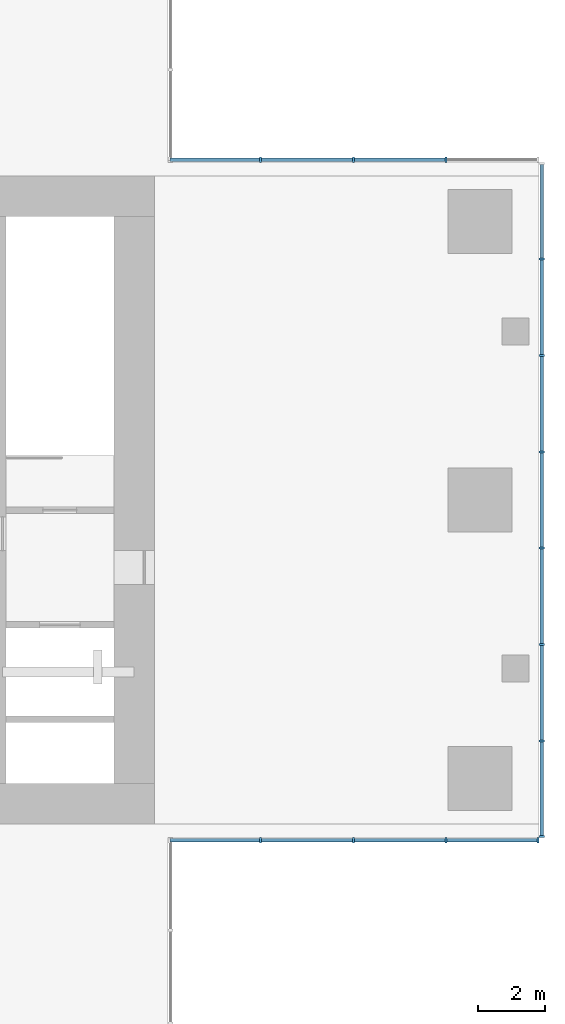
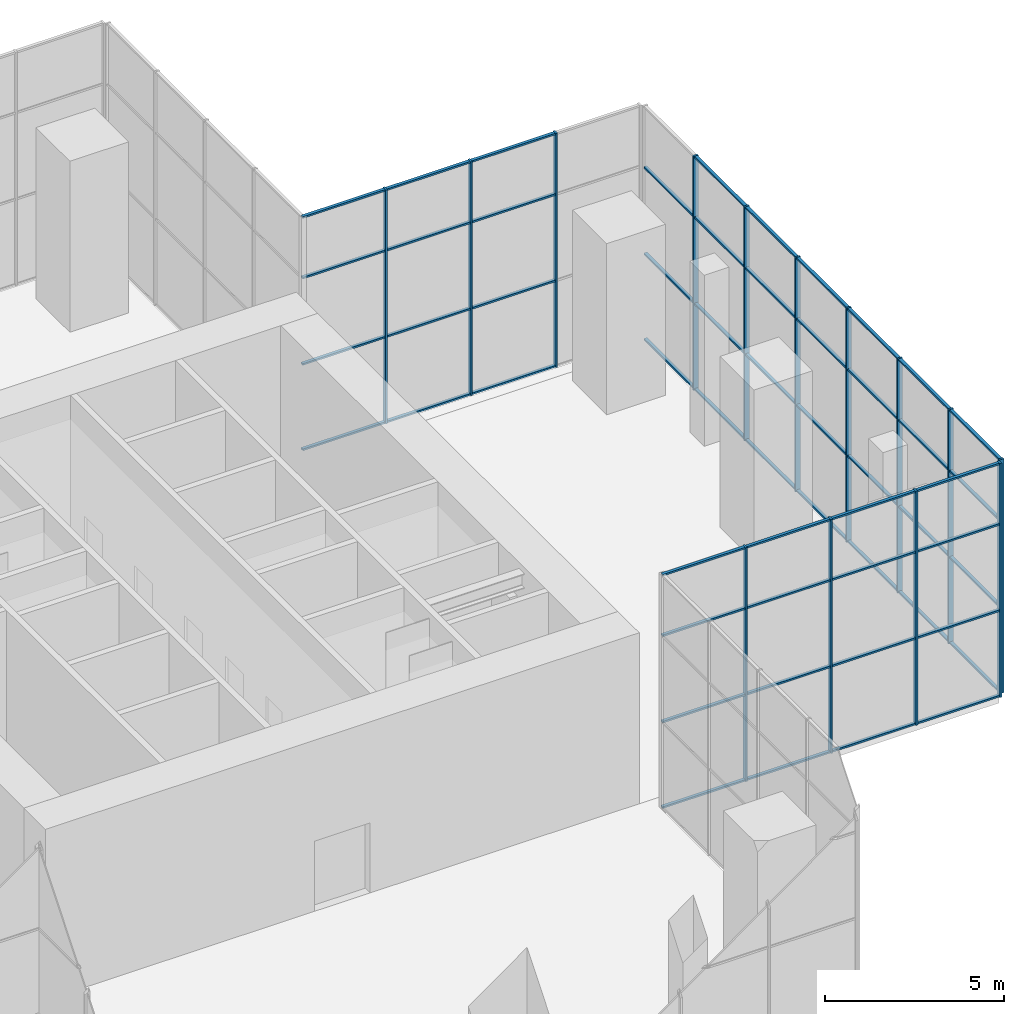
# One storey, part 5 of 12: 69 members, 3 elements without a shape of their own.
"""IFC4 building model written with IfcOpenShell, lengths in metres."""

from ifc_helpers import new_model, si_unit, direction, frame, origin, origin_2d, place, context, subcontext, project, spatial, rectangle, extrude, material, material_profile, profile_set, type_object, element, aggregate, save


model = new_model("IFC4")

# Units and contexts
model_context = context("Model", 3, precision=1e-05, world=origin(), true_north=direction((0.0, 1.0)))
body_context = subcontext(model_context, "Body", "Model", "MODEL_VIEW")
ifc_project = project(units=[si_unit("LENGTHUNIT", "METRE"), si_unit("AREAUNIT", "SQUARE_METRE"), si_unit("VOLUMEUNIT", "CUBIC_METRE"), si_unit("PLANEANGLEUNIT", "RADIAN"), si_unit("MASSUNIT", "GRAM", prefix="KILO")], contexts=[model_context])

# Site, building, storey
site_placement = place(None, origin())
site = spatial("IfcSite", under=ifc_project, at=site_placement, CompositionType="ELEMENT")
building_placement = place(site_placement, origin())
building = spatial("IfcBuilding", under=site, at=building_placement, Name="Svetlomir Tower", CompositionType="ELEMENT")
storey_placement = place(building_placement, frame((0.0, 0.0, 283.89990234375)))
storey = spatial("IfcBuildingStorey", under=building, at=storey_placement, Name="L67", CompositionType="ELEMENT", Elevation=283.89990234375)

# Curtain wall, members
ifc_material_1 = material(Name="Bronze anodised aluminium curtain wall", Category="aluminium")
curtain_wall_type = type_object("IfcCurtainWallType", Name="CURTAIN WALL CW6 LANTERN", PredefinedType="NOTDEFINED", material=ifc_material_1)
curtain_wall_1_placement = place(storey_placement, origin())
curtain_wall_1 = element("IfcCurtainWall", 1, at=curtain_wall_1_placement, inside=storey, type_object=curtain_wall_type, Name="Curtain wall CW6 L67", PredefinedType="NOTDEFINED")
ifc_material_2 = material(Name="Bronze anodised aluminium", Category="aluminium")
ifc_material_profile_1 = material_profile(ifc_material_2, rectangle(XDim=0.06005859375, YDim=0.159912109375, at=origin_2d()), Name="AL 60x160")
ifc_profile_set_1 = profile_set([ifc_material_profile_1], Name="Bronze anodised aluminium 6063-T6")
member_type_1 = type_object("IfcMemberType", Name="CW6 MULLION 60x160", PredefinedType="MULLION", material=ifc_profile_set_1)
member_1_placement = place(storey_placement, frame((33.75, 10.919921875, 0.0), z_axis=(0.0, 0.0, 1.0), x_axis=(1.0, 0.0, 0.0)))
member_1 = element("IfcMember", 2, at=member_1_placement, type_object=member_type_1, Name="CW6 mullion 2", PredefinedType="MULLION", context=body_context, shape_type="SweptSolid", body=[
    extrude(rectangle(XDim=0.06005859375, YDim=0.159912109375, at=origin_2d()), origin(), (0.0, 0.0, 1.0), 8.0),
])
member_2_placement = place(storey_placement, frame((36.5, 10.919921875, 0.0), z_axis=(0.0, 0.0, 1.0), x_axis=(1.0, 0.0, 0.0)))
member_2 = element("IfcMember", 3, at=member_2_placement, type_object=member_type_1, Name="CW6 mullion 3", PredefinedType="MULLION", context=body_context, shape_type="SweptSolid", body=[
    extrude(rectangle(XDim=0.06005859375, YDim=0.159912109375, at=origin_2d()), origin(), (0.0, 0.0, 1.0), 8.0),
])
member_3_placement = place(storey_placement, frame((39.25, 10.919921875, 0.0), z_axis=(0.0, 0.0, 1.0), x_axis=(1.0, 0.0, 0.0)))
member_3 = element("IfcMember", 4, at=member_3_placement, type_object=member_type_1, Name="CW6 mullion 4", PredefinedType="MULLION", context=body_context, shape_type="SweptSolid", body=[
    extrude(rectangle(XDim=0.06005859375, YDim=0.159912109375, at=origin_2d()), origin(), (0.0, 0.0, 1.0), 8.0),
])
member_4_placement = place(storey_placement, frame((41.969970703125, 10.919921875, 0.0), z_axis=(0.0, 0.0, 1.0), x_axis=(1.0, 0.0, 0.0)))
member_4 = element("IfcMember", 5, at=member_4_placement, type_object=member_type_1, Name="CW6 mullion 5", PredefinedType="MULLION", context=body_context, shape_type="SweptSolid", body=[
    extrude(rectangle(XDim=0.06005859375, YDim=0.159912109375, at=origin_2d()), origin(), (0.0, 0.0, 1.0), 8.0),
])

curtain_wall_2_placement = place(storey_placement, origin())
curtain_wall_2 = element("IfcCurtainWall", 6, at=curtain_wall_2_placement, inside=storey, type_object=curtain_wall_type, Name="Curtain wall CW6 L67", PredefinedType="NOTDEFINED")
member_5_placement = place(storey_placement, frame((42.080078125, 11.030029296875, 0.0), z_axis=(0.0, 0.0, 1.0), x_axis=(0.0, 1.0, 0.0)))
member_5 = element("IfcMember", 7, at=member_5_placement, type_object=member_type_1, Name="CW6 mullion 1", PredefinedType="MULLION", context=body_context, shape_type="SweptSolid", body=[
    extrude(rectangle(XDim=0.06005859375, YDim=0.159912109375, at=origin_2d()), origin(), (0.0, 0.0, 1.0), 8.0),
])
member_6_placement = place(storey_placement, frame((42.080078125, 13.857177734375, 0.0), z_axis=(0.0, 0.0, 1.0), x_axis=(0.0, 1.0, 0.0)))
member_6 = element("IfcMember", 8, at=member_6_placement, type_object=member_type_1, Name="CW6 mullion 2", PredefinedType="MULLION", context=body_context, shape_type="SweptSolid", body=[
    extrude(rectangle(XDim=0.06005859375, YDim=0.159912109375, at=origin_2d()), origin(), (0.0, 0.0, 1.0), 8.0),
])
member_7_placement = place(storey_placement, frame((42.080078125, 16.71435546875, 0.0), z_axis=(0.0, 0.0, 1.0), x_axis=(0.0, 1.0, 0.0)))
member_7 = element("IfcMember", 9, at=member_7_placement, type_object=member_type_1, Name="CW6 mullion 3", PredefinedType="MULLION", context=body_context, shape_type="SweptSolid", body=[
    extrude(rectangle(XDim=0.06005859375, YDim=0.159912109375, at=origin_2d()), origin(), (0.0, 0.0, 1.0), 8.0),
])
member_8_placement = place(storey_placement, frame((42.080078125, 19.571533203125, 0.0), z_axis=(0.0, 0.0, 1.0), x_axis=(0.0, 1.0, 0.0)))
member_8 = element("IfcMember", 10, at=member_8_placement, type_object=member_type_1, Name="CW6 mullion 4", PredefinedType="MULLION", context=body_context, shape_type="SweptSolid", body=[
    extrude(rectangle(XDim=0.06005859375, YDim=0.159912109375, at=origin_2d()), origin(), (0.0, 0.0, 1.0), 8.0),
])
member_9_placement = place(storey_placement, frame((42.080078125, 22.428466796875, 0.0), z_axis=(0.0, 0.0, 1.0), x_axis=(0.0, 1.0, 0.0)))
member_9 = element("IfcMember", 11, at=member_9_placement, type_object=member_type_1, Name="CW6 mullion 5", PredefinedType="MULLION", context=body_context, shape_type="SweptSolid", body=[
    extrude(rectangle(XDim=0.06005859375, YDim=0.159912109375, at=origin_2d()), origin(), (0.0, 0.0, 1.0), 8.0),
])
member_10_placement = place(storey_placement, frame((42.080078125, 25.28564453125, 0.0), z_axis=(0.0, 0.0, 1.0), x_axis=(0.0, 1.0, 0.0)))
member_10 = element("IfcMember", 12, at=member_10_placement, type_object=member_type_1, Name="CW6 mullion 6", PredefinedType="MULLION", context=body_context, shape_type="SweptSolid", body=[
    extrude(rectangle(XDim=0.06005859375, YDim=0.159912109375, at=origin_2d()), origin(), (0.0, 0.0, 1.0), 8.0),
])
member_11_placement = place(storey_placement, frame((42.080078125, 28.142822265625, 0.0), z_axis=(0.0, 0.0, 1.0), x_axis=(0.0, 1.0, 0.0)))
member_11 = element("IfcMember", 13, at=member_11_placement, type_object=member_type_1, Name="CW6 mullion 7", PredefinedType="MULLION", context=body_context, shape_type="SweptSolid", body=[
    extrude(rectangle(XDim=0.06005859375, YDim=0.159912109375, at=origin_2d()), origin(), (0.0, 0.0, 1.0), 8.0),
])

curtain_wall_3_placement = place(storey_placement, origin())
curtain_wall_3 = element("IfcCurtainWall", 14, at=curtain_wall_3_placement, inside=storey, type_object=curtain_wall_type, Name="Curtain wall CW6 L67", PredefinedType="NOTDEFINED")
member_12_placement = place(storey_placement, frame((39.25, 31.080078125, 0.0), z_axis=(0.0, 0.0, 1.0), x_axis=(-1.0, 0.0, 0.0)))
member_12 = element("IfcMember", 15, at=member_12_placement, type_object=member_type_1, Name="CW6 mullion 2", PredefinedType="MULLION", context=body_context, shape_type="SweptSolid", body=[
    extrude(rectangle(XDim=0.06005859375, YDim=0.159912109375, at=origin_2d()), origin(), (0.0, 0.0, 1.0), 8.0),
])
member_13_placement = place(storey_placement, frame((36.5, 31.080078125, 0.0), z_axis=(0.0, 0.0, 1.0), x_axis=(-1.0, 0.0, 0.0)))
member_13 = element("IfcMember", 16, at=member_13_placement, type_object=member_type_1, Name="CW6 mullion 3", PredefinedType="MULLION", context=body_context, shape_type="SweptSolid", body=[
    extrude(rectangle(XDim=0.06005859375, YDim=0.159912109375, at=origin_2d()), origin(), (0.0, 0.0, 1.0), 8.0),
])
member_14_placement = place(storey_placement, frame((33.75, 31.080078125, 0.0), z_axis=(0.0, 0.0, 1.0), x_axis=(-1.0, 0.0, 0.0)))
member_14 = element("IfcMember", 17, at=member_14_placement, type_object=member_type_1, Name="CW6 mullion 4", PredefinedType="MULLION", context=body_context, shape_type="SweptSolid", body=[
    extrude(rectangle(XDim=0.06005859375, YDim=0.159912109375, at=origin_2d()), origin(), (0.0, 0.0, 1.0), 8.0),
])

# Member
ifc_material_3 = material(Name="Bronze anodised aluminium", Category="aluminium")
ifc_material_profile_2 = material_profile(ifc_material_3, rectangle(XDim=0.10009765625, YDim=0.06005859375, at=origin_2d()), Name="AL 100x60")
ifc_profile_set_2 = profile_set([ifc_material_profile_2], Name="Bronze anodised aluminium 6063-T6")
member_type_2 = type_object("IfcMemberType", Name="CW6 TRANSOM 60x100", PredefinedType="USERDEFINED", material=ifc_profile_set_2)
member_15_placement = place(storey_placement, frame((31.06005859375, 10.919921875, 0.030029296875), z_axis=(1.0, 0.0, 0.0), x_axis=(0.0, 1.0, 0.0)))
member_15 = element("IfcMember", 18, at=member_15_placement, type_object=member_type_2, Name="CW6 transom 1.1", ObjectType="TRANSOM", PredefinedType="USERDEFINED", context=body_context, shape_type="SweptSolid", body=[
    extrude(rectangle(XDim=0.10009765625, YDim=0.06005859375, at=origin_2d()), origin(), (0.0, 0.0, 1.0), 2.659912109375),
])

member_16_placement = place(storey_placement, frame((31.06005859375, 10.919921875, 2.9501953125), z_axis=(1.0, 0.0, 0.0), x_axis=(0.0, 1.0, 0.0)))
member_16 = element("IfcMember", 19, at=member_16_placement, type_object=member_type_2, Name="CW6 transom 1.2", ObjectType="TRANSOM", PredefinedType="USERDEFINED", context=body_context, shape_type="SweptSolid", body=[
    extrude(rectangle(XDim=0.10009765625, YDim=0.06005859375, at=origin_2d()), origin(), (0.0, 0.0, 1.0), 2.659912109375),
])

member_17_placement = place(storey_placement, frame((31.06005859375, 10.919921875, 5.900146484375), z_axis=(1.0, 0.0, 0.0), x_axis=(0.0, 1.0, 0.0)))
member_17 = element("IfcMember", 20, at=member_17_placement, type_object=member_type_2, Name="CW6 transom 1.3", ObjectType="TRANSOM", PredefinedType="USERDEFINED", context=body_context, shape_type="SweptSolid", body=[
    extrude(rectangle(XDim=0.10009765625, YDim=0.06005859375, at=origin_2d()), origin(), (0.0, 0.0, 1.0), 2.659912109375),
])

member_18_placement = place(storey_placement, frame((31.06005859375, 10.919921875, 7.97021484375), z_axis=(1.0, 0.0, 0.0), x_axis=(0.0, 1.0, 0.0)))
member_18 = element("IfcMember", 21, at=member_18_placement, type_object=member_type_2, Name="CW6 transom 1.4", ObjectType="TRANSOM", PredefinedType="USERDEFINED", context=body_context, shape_type="SweptSolid", body=[
    extrude(rectangle(XDim=0.10009765625, YDim=0.06005859375, at=origin_2d()), origin(), (0.0, 0.0, 1.0), 2.659912109375),
])

member_19_placement = place(storey_placement, frame((33.780029296875, 10.919921875, 0.030029296875), z_axis=(1.0, 0.0, 0.0), x_axis=(0.0, 1.0, 0.0)))
member_19 = element("IfcMember", 22, at=member_19_placement, type_object=member_type_2, Name="CW6 transom 2.1", ObjectType="TRANSOM", PredefinedType="USERDEFINED", context=body_context, shape_type="SweptSolid", body=[
    extrude(rectangle(XDim=0.10009765625, YDim=0.06005859375, at=origin_2d()), origin(), (0.0, 0.0, 1.0), 2.68994140625),
])

member_20_placement = place(storey_placement, frame((33.780029296875, 10.919921875, 2.9501953125), z_axis=(1.0, 0.0, 0.0), x_axis=(0.0, 1.0, 0.0)))
member_20 = element("IfcMember", 23, at=member_20_placement, type_object=member_type_2, Name="CW6 transom 2.2", ObjectType="TRANSOM", PredefinedType="USERDEFINED", context=body_context, shape_type="SweptSolid", body=[
    extrude(rectangle(XDim=0.10009765625, YDim=0.06005859375, at=origin_2d()), origin(), (0.0, 0.0, 1.0), 2.68994140625),
])

member_21_placement = place(storey_placement, frame((33.780029296875, 10.919921875, 5.900146484375), z_axis=(1.0, 0.0, 0.0), x_axis=(0.0, 1.0, 0.0)))
member_21 = element("IfcMember", 24, at=member_21_placement, type_object=member_type_2, Name="CW6 transom 2.3", ObjectType="TRANSOM", PredefinedType="USERDEFINED", context=body_context, shape_type="SweptSolid", body=[
    extrude(rectangle(XDim=0.10009765625, YDim=0.06005859375, at=origin_2d()), origin(), (0.0, 0.0, 1.0), 2.68994140625),
])

member_22_placement = place(storey_placement, frame((33.780029296875, 10.919921875, 7.97021484375), z_axis=(1.0, 0.0, 0.0), x_axis=(0.0, 1.0, 0.0)))
member_22 = element("IfcMember", 25, at=member_22_placement, type_object=member_type_2, Name="CW6 transom 2.4", ObjectType="TRANSOM", PredefinedType="USERDEFINED", context=body_context, shape_type="SweptSolid", body=[
    extrude(rectangle(XDim=0.10009765625, YDim=0.06005859375, at=origin_2d()), origin(), (0.0, 0.0, 1.0), 2.68994140625),
])

member_23_placement = place(storey_placement, frame((36.530029296875, 10.919921875, 0.030029296875), z_axis=(1.0, 0.0, 0.0), x_axis=(0.0, 1.0, 0.0)))
member_23 = element("IfcMember", 26, at=member_23_placement, type_object=member_type_2, Name="CW6 transom 3.1", ObjectType="TRANSOM", PredefinedType="USERDEFINED", context=body_context, shape_type="SweptSolid", body=[
    extrude(rectangle(XDim=0.10009765625, YDim=0.06005859375, at=origin_2d()), origin(), (0.0, 0.0, 1.0), 2.68994140625),
])

member_24_placement = place(storey_placement, frame((36.530029296875, 10.919921875, 2.9501953125), z_axis=(1.0, 0.0, 0.0), x_axis=(0.0, 1.0, 0.0)))
member_24 = element("IfcMember", 27, at=member_24_placement, type_object=member_type_2, Name="CW6 transom 3.2", ObjectType="TRANSOM", PredefinedType="USERDEFINED", context=body_context, shape_type="SweptSolid", body=[
    extrude(rectangle(XDim=0.10009765625, YDim=0.06005859375, at=origin_2d()), origin(), (0.0, 0.0, 1.0), 2.68994140625),
])

member_25_placement = place(storey_placement, frame((36.530029296875, 10.919921875, 5.900146484375), z_axis=(1.0, 0.0, 0.0), x_axis=(0.0, 1.0, 0.0)))
member_25 = element("IfcMember", 28, at=member_25_placement, type_object=member_type_2, Name="CW6 transom 3.3", ObjectType="TRANSOM", PredefinedType="USERDEFINED", context=body_context, shape_type="SweptSolid", body=[
    extrude(rectangle(XDim=0.10009765625, YDim=0.06005859375, at=origin_2d()), origin(), (0.0, 0.0, 1.0), 2.68994140625),
])

member_26_placement = place(storey_placement, frame((36.530029296875, 10.919921875, 7.97021484375), z_axis=(1.0, 0.0, 0.0), x_axis=(0.0, 1.0, 0.0)))
member_26 = element("IfcMember", 29, at=member_26_placement, type_object=member_type_2, Name="CW6 transom 3.4", ObjectType="TRANSOM", PredefinedType="USERDEFINED", context=body_context, shape_type="SweptSolid", body=[
    extrude(rectangle(XDim=0.10009765625, YDim=0.06005859375, at=origin_2d()), origin(), (0.0, 0.0, 1.0), 2.68994140625),
])

member_27_placement = place(storey_placement, frame((39.280029296875, 10.919921875, 0.030029296875), z_axis=(1.0, 0.0, 0.0), x_axis=(0.0, 1.0, 0.0)))
member_27 = element("IfcMember", 30, at=member_27_placement, type_object=member_type_2, Name="CW6 transom 4.1", ObjectType="TRANSOM", PredefinedType="USERDEFINED", context=body_context, shape_type="SweptSolid", body=[
    extrude(rectangle(XDim=0.10009765625, YDim=0.06005859375, at=origin_2d()), origin(), (0.0, 0.0, 1.0), 2.659912109375),
])

member_28_placement = place(storey_placement, frame((39.280029296875, 10.919921875, 2.9501953125), z_axis=(1.0, 0.0, 0.0), x_axis=(0.0, 1.0, 0.0)))
member_28 = element("IfcMember", 31, at=member_28_placement, type_object=member_type_2, Name="CW6 transom 4.2", ObjectType="TRANSOM", PredefinedType="USERDEFINED", context=body_context, shape_type="SweptSolid", body=[
    extrude(rectangle(XDim=0.10009765625, YDim=0.06005859375, at=origin_2d()), origin(), (0.0, 0.0, 1.0), 2.659912109375),
])

member_29_placement = place(storey_placement, frame((39.280029296875, 10.919921875, 5.900146484375), z_axis=(1.0, 0.0, 0.0), x_axis=(0.0, 1.0, 0.0)))
member_29 = element("IfcMember", 32, at=member_29_placement, type_object=member_type_2, Name="CW6 transom 4.3", ObjectType="TRANSOM", PredefinedType="USERDEFINED", context=body_context, shape_type="SweptSolid", body=[
    extrude(rectangle(XDim=0.10009765625, YDim=0.06005859375, at=origin_2d()), origin(), (0.0, 0.0, 1.0), 2.659912109375),
])

member_30_placement = place(storey_placement, frame((39.280029296875, 10.919921875, 7.97021484375), z_axis=(1.0, 0.0, 0.0), x_axis=(0.0, 1.0, 0.0)))
member_30 = element("IfcMember", 33, at=member_30_placement, type_object=member_type_2, Name="CW6 transom 4.4", ObjectType="TRANSOM", PredefinedType="USERDEFINED", context=body_context, shape_type="SweptSolid", body=[
    extrude(rectangle(XDim=0.10009765625, YDim=0.06005859375, at=origin_2d()), origin(), (0.0, 0.0, 1.0), 2.659912109375),
])

aggregate(curtain_wall_1, [member_1, member_2, member_3, member_4, member_15, member_16, member_17, member_18, member_19, member_20, member_21, member_22, member_23, member_24, member_25, member_26, member_27, member_28, member_29, member_30])

member_31_placement = place(storey_placement, frame((42.080078125, 11.06005859375, 0.030029296875), z_axis=(0.0, 1.0, 0.0), x_axis=(-1.0, 0.0, 0.0)))
member_31 = element("IfcMember", 34, at=member_31_placement, type_object=member_type_2, Name="CW6 transom 1.1", ObjectType="TRANSOM", PredefinedType="USERDEFINED", context=body_context, shape_type="SweptSolid", body=[
    extrude(rectangle(XDim=0.10009765625, YDim=0.06005859375, at=origin_2d()), origin(), (0.0, 0.0, 1.0), 2.76708984375),
])

member_32_placement = place(storey_placement, frame((42.080078125, 11.06005859375, 2.9501953125), z_axis=(0.0, 1.0, 0.0), x_axis=(-1.0, 0.0, 0.0)))
member_32 = element("IfcMember", 35, at=member_32_placement, type_object=member_type_2, Name="CW6 transom 1.2", ObjectType="TRANSOM", PredefinedType="USERDEFINED", context=body_context, shape_type="SweptSolid", body=[
    extrude(rectangle(XDim=0.10009765625, YDim=0.06005859375, at=origin_2d()), origin(), (0.0, 0.0, 1.0), 2.76708984375),
])

member_33_placement = place(storey_placement, frame((42.080078125, 11.06005859375, 5.900146484375), z_axis=(0.0, 1.0, 0.0), x_axis=(-1.0, 0.0, 0.0)))
member_33 = element("IfcMember", 36, at=member_33_placement, type_object=member_type_2, Name="CW6 transom 1.3", ObjectType="TRANSOM", PredefinedType="USERDEFINED", context=body_context, shape_type="SweptSolid", body=[
    extrude(rectangle(XDim=0.10009765625, YDim=0.06005859375, at=origin_2d()), origin(), (0.0, 0.0, 1.0), 2.76708984375),
])

member_34_placement = place(storey_placement, frame((42.080078125, 11.06005859375, 7.97021484375), z_axis=(0.0, 1.0, 0.0), x_axis=(-1.0, 0.0, 0.0)))
member_34 = element("IfcMember", 37, at=member_34_placement, type_object=member_type_2, Name="CW6 transom 1.4", ObjectType="TRANSOM", PredefinedType="USERDEFINED", context=body_context, shape_type="SweptSolid", body=[
    extrude(rectangle(XDim=0.10009765625, YDim=0.06005859375, at=origin_2d()), origin(), (0.0, 0.0, 1.0), 2.76708984375),
])

member_35_placement = place(storey_placement, frame((42.080078125, 13.88720703125, 0.030029296875), z_axis=(0.0, 1.0, 0.0), x_axis=(-1.0, 0.0, 0.0)))
member_35 = element("IfcMember", 38, at=member_35_placement, type_object=member_type_2, Name="CW6 transom 2.1", ObjectType="TRANSOM", PredefinedType="USERDEFINED", context=body_context, shape_type="SweptSolid", body=[
    extrude(rectangle(XDim=0.10009765625, YDim=0.06005859375, at=origin_2d()), origin(), (0.0, 0.0, 1.0), 2.797119140625),
])

member_36_placement = place(storey_placement, frame((42.080078125, 13.88720703125, 2.9501953125), z_axis=(0.0, 1.0, 0.0), x_axis=(-1.0, 0.0, 0.0)))
member_36 = element("IfcMember", 39, at=member_36_placement, type_object=member_type_2, Name="CW6 transom 2.2", ObjectType="TRANSOM", PredefinedType="USERDEFINED", context=body_context, shape_type="SweptSolid", body=[
    extrude(rectangle(XDim=0.10009765625, YDim=0.06005859375, at=origin_2d()), origin(), (0.0, 0.0, 1.0), 2.797119140625),
])

member_37_placement = place(storey_placement, frame((42.080078125, 13.88720703125, 5.900146484375), z_axis=(0.0, 1.0, 0.0), x_axis=(-1.0, 0.0, 0.0)))
member_37 = element("IfcMember", 40, at=member_37_placement, type_object=member_type_2, Name="CW6 transom 2.3", ObjectType="TRANSOM", PredefinedType="USERDEFINED", context=body_context, shape_type="SweptSolid", body=[
    extrude(rectangle(XDim=0.10009765625, YDim=0.06005859375, at=origin_2d()), origin(), (0.0, 0.0, 1.0), 2.797119140625),
])

member_38_placement = place(storey_placement, frame((42.080078125, 13.88720703125, 7.97021484375), z_axis=(0.0, 1.0, 0.0), x_axis=(-1.0, 0.0, 0.0)))
member_38 = element("IfcMember", 41, at=member_38_placement, type_object=member_type_2, Name="CW6 transom 2.4", ObjectType="TRANSOM", PredefinedType="USERDEFINED", context=body_context, shape_type="SweptSolid", body=[
    extrude(rectangle(XDim=0.10009765625, YDim=0.06005859375, at=origin_2d()), origin(), (0.0, 0.0, 1.0), 2.797119140625),
])

member_39_placement = place(storey_placement, frame((42.080078125, 16.744384765625, 0.030029296875), z_axis=(0.0, 1.0, 0.0), x_axis=(-1.0, 0.0, 0.0)))
member_39 = element("IfcMember", 42, at=member_39_placement, type_object=member_type_2, Name="CW6 transom 3.1", ObjectType="TRANSOM", PredefinedType="USERDEFINED", context=body_context, shape_type="SweptSolid", body=[
    extrude(rectangle(XDim=0.10009765625, YDim=0.06005859375, at=origin_2d()), origin(), (0.0, 0.0, 1.0), 2.797119140625),
])

member_40_placement = place(storey_placement, frame((42.080078125, 16.744384765625, 2.9501953125), z_axis=(0.0, 1.0, 0.0), x_axis=(-1.0, 0.0, 0.0)))
member_40 = element("IfcMember", 43, at=member_40_placement, type_object=member_type_2, Name="CW6 transom 3.2", ObjectType="TRANSOM", PredefinedType="USERDEFINED", context=body_context, shape_type="SweptSolid", body=[
    extrude(rectangle(XDim=0.10009765625, YDim=0.06005859375, at=origin_2d()), origin(), (0.0, 0.0, 1.0), 2.797119140625),
])

member_41_placement = place(storey_placement, frame((42.080078125, 16.744384765625, 5.900146484375), z_axis=(0.0, 1.0, 0.0), x_axis=(-1.0, 0.0, 0.0)))
member_41 = element("IfcMember", 44, at=member_41_placement, type_object=member_type_2, Name="CW6 transom 3.3", ObjectType="TRANSOM", PredefinedType="USERDEFINED", context=body_context, shape_type="SweptSolid", body=[
    extrude(rectangle(XDim=0.10009765625, YDim=0.06005859375, at=origin_2d()), origin(), (0.0, 0.0, 1.0), 2.797119140625),
])

member_42_placement = place(storey_placement, frame((42.080078125, 16.744384765625, 7.97021484375), z_axis=(0.0, 1.0, 0.0), x_axis=(-1.0, 0.0, 0.0)))
member_42 = element("IfcMember", 45, at=member_42_placement, type_object=member_type_2, Name="CW6 transom 3.4", ObjectType="TRANSOM", PredefinedType="USERDEFINED", context=body_context, shape_type="SweptSolid", body=[
    extrude(rectangle(XDim=0.10009765625, YDim=0.06005859375, at=origin_2d()), origin(), (0.0, 0.0, 1.0), 2.797119140625),
])

member_43_placement = place(storey_placement, frame((42.080078125, 19.601318359375, 0.030029296875), z_axis=(0.0, 1.0, 0.0), x_axis=(-1.0, 0.0, 0.0)))
member_43 = element("IfcMember", 46, at=member_43_placement, type_object=member_type_2, Name="CW6 transom 4.1", ObjectType="TRANSOM", PredefinedType="USERDEFINED", context=body_context, shape_type="SweptSolid", body=[
    extrude(rectangle(XDim=0.10009765625, YDim=0.06005859375, at=origin_2d()), origin(), (0.0, 0.0, 1.0), 2.79736328125),
])

member_44_placement = place(storey_placement, frame((42.080078125, 19.601318359375, 2.9501953125), z_axis=(0.0, 1.0, 0.0), x_axis=(-1.0, 0.0, 0.0)))
member_44 = element("IfcMember", 47, at=member_44_placement, type_object=member_type_2, Name="CW6 transom 4.2", ObjectType="TRANSOM", PredefinedType="USERDEFINED", context=body_context, shape_type="SweptSolid", body=[
    extrude(rectangle(XDim=0.10009765625, YDim=0.06005859375, at=origin_2d()), origin(), (0.0, 0.0, 1.0), 2.79736328125),
])

member_45_placement = place(storey_placement, frame((42.080078125, 19.601318359375, 5.900146484375), z_axis=(0.0, 1.0, 0.0), x_axis=(-1.0, 0.0, 0.0)))
member_45 = element("IfcMember", 48, at=member_45_placement, type_object=member_type_2, Name="CW6 transom 4.3", ObjectType="TRANSOM", PredefinedType="USERDEFINED", context=body_context, shape_type="SweptSolid", body=[
    extrude(rectangle(XDim=0.10009765625, YDim=0.06005859375, at=origin_2d()), origin(), (0.0, 0.0, 1.0), 2.79736328125),
])

member_46_placement = place(storey_placement, frame((42.080078125, 19.601318359375, 7.97021484375), z_axis=(0.0, 1.0, 0.0), x_axis=(-1.0, 0.0, 0.0)))
member_46 = element("IfcMember", 49, at=member_46_placement, type_object=member_type_2, Name="CW6 transom 4.4", ObjectType="TRANSOM", PredefinedType="USERDEFINED", context=body_context, shape_type="SweptSolid", body=[
    extrude(rectangle(XDim=0.10009765625, YDim=0.06005859375, at=origin_2d()), origin(), (0.0, 0.0, 1.0), 2.79736328125),
])

member_47_placement = place(storey_placement, frame((42.080078125, 22.45849609375, 0.030029296875), z_axis=(0.0, 1.0, 0.0), x_axis=(-1.0, 0.0, 0.0)))
member_47 = element("IfcMember", 50, at=member_47_placement, type_object=member_type_2, Name="CW6 transom 5.1", ObjectType="TRANSOM", PredefinedType="USERDEFINED", context=body_context, shape_type="SweptSolid", body=[
    extrude(rectangle(XDim=0.10009765625, YDim=0.06005859375, at=origin_2d()), origin(), (0.0, 0.0, 1.0), 2.797119140625),
])

member_48_placement = place(storey_placement, frame((42.080078125, 22.45849609375, 2.9501953125), z_axis=(0.0, 1.0, 0.0), x_axis=(-1.0, 0.0, 0.0)))
member_48 = element("IfcMember", 51, at=member_48_placement, type_object=member_type_2, Name="CW6 transom 5.2", ObjectType="TRANSOM", PredefinedType="USERDEFINED", context=body_context, shape_type="SweptSolid", body=[
    extrude(rectangle(XDim=0.10009765625, YDim=0.06005859375, at=origin_2d()), origin(), (0.0, 0.0, 1.0), 2.797119140625),
])

member_49_placement = place(storey_placement, frame((42.080078125, 22.45849609375, 5.900146484375), z_axis=(0.0, 1.0, 0.0), x_axis=(-1.0, 0.0, 0.0)))
member_49 = element("IfcMember", 52, at=member_49_placement, type_object=member_type_2, Name="CW6 transom 5.3", ObjectType="TRANSOM", PredefinedType="USERDEFINED", context=body_context, shape_type="SweptSolid", body=[
    extrude(rectangle(XDim=0.10009765625, YDim=0.06005859375, at=origin_2d()), origin(), (0.0, 0.0, 1.0), 2.797119140625),
])

member_50_placement = place(storey_placement, frame((42.080078125, 22.45849609375, 7.97021484375), z_axis=(0.0, 1.0, 0.0), x_axis=(-1.0, 0.0, 0.0)))
member_50 = element("IfcMember", 53, at=member_50_placement, type_object=member_type_2, Name="CW6 transom 5.4", ObjectType="TRANSOM", PredefinedType="USERDEFINED", context=body_context, shape_type="SweptSolid", body=[
    extrude(rectangle(XDim=0.10009765625, YDim=0.06005859375, at=origin_2d()), origin(), (0.0, 0.0, 1.0), 2.797119140625),
])

member_51_placement = place(storey_placement, frame((42.080078125, 25.315673828125, 0.030029296875), z_axis=(0.0, 1.0, 0.0), x_axis=(-1.0, 0.0, 0.0)))
member_51 = element("IfcMember", 54, at=member_51_placement, type_object=member_type_2, Name="CW6 transom 6.1", ObjectType="TRANSOM", PredefinedType="USERDEFINED", context=body_context, shape_type="SweptSolid", body=[
    extrude(rectangle(XDim=0.10009765625, YDim=0.06005859375, at=origin_2d()), origin(), (0.0, 0.0, 1.0), 2.797119140625),
])

member_52_placement = place(storey_placement, frame((42.080078125, 25.315673828125, 2.9501953125), z_axis=(0.0, 1.0, 0.0), x_axis=(-1.0, 0.0, 0.0)))
member_52 = element("IfcMember", 55, at=member_52_placement, type_object=member_type_2, Name="CW6 transom 6.2", ObjectType="TRANSOM", PredefinedType="USERDEFINED", context=body_context, shape_type="SweptSolid", body=[
    extrude(rectangle(XDim=0.10009765625, YDim=0.06005859375, at=origin_2d()), origin(), (0.0, 0.0, 1.0), 2.797119140625),
])

member_53_placement = place(storey_placement, frame((42.080078125, 25.315673828125, 5.900146484375), z_axis=(0.0, 1.0, 0.0), x_axis=(-1.0, 0.0, 0.0)))
member_53 = element("IfcMember", 56, at=member_53_placement, type_object=member_type_2, Name="CW6 transom 6.3", ObjectType="TRANSOM", PredefinedType="USERDEFINED", context=body_context, shape_type="SweptSolid", body=[
    extrude(rectangle(XDim=0.10009765625, YDim=0.06005859375, at=origin_2d()), origin(), (0.0, 0.0, 1.0), 2.797119140625),
])

member_54_placement = place(storey_placement, frame((42.080078125, 25.315673828125, 7.97021484375), z_axis=(0.0, 1.0, 0.0), x_axis=(-1.0, 0.0, 0.0)))
member_54 = element("IfcMember", 57, at=member_54_placement, type_object=member_type_2, Name="CW6 transom 6.4", ObjectType="TRANSOM", PredefinedType="USERDEFINED", context=body_context, shape_type="SweptSolid", body=[
    extrude(rectangle(XDim=0.10009765625, YDim=0.06005859375, at=origin_2d()), origin(), (0.0, 0.0, 1.0), 2.797119140625),
])

member_55_placement = place(storey_placement, frame((42.080078125, 28.1728515625, 0.030029296875), z_axis=(0.0, 1.0, 0.0), x_axis=(-1.0, 0.0, 0.0)))
member_55 = element("IfcMember", 58, at=member_55_placement, type_object=member_type_2, Name="CW6 transom 7.1", ObjectType="TRANSOM", PredefinedType="USERDEFINED", context=body_context, shape_type="SweptSolid", body=[
    extrude(rectangle(XDim=0.10009765625, YDim=0.06005859375, at=origin_2d()), origin(), (0.0, 0.0, 1.0), 2.76708984375),
])

member_56_placement = place(storey_placement, frame((42.080078125, 28.1728515625, 2.9501953125), z_axis=(0.0, 1.0, 0.0), x_axis=(-1.0, 0.0, 0.0)))
member_56 = element("IfcMember", 59, at=member_56_placement, type_object=member_type_2, Name="CW6 transom 7.2", ObjectType="TRANSOM", PredefinedType="USERDEFINED", context=body_context, shape_type="SweptSolid", body=[
    extrude(rectangle(XDim=0.10009765625, YDim=0.06005859375, at=origin_2d()), origin(), (0.0, 0.0, 1.0), 2.76708984375),
])

member_57_placement = place(storey_placement, frame((42.080078125, 28.1728515625, 5.900146484375), z_axis=(0.0, 1.0, 0.0), x_axis=(-1.0, 0.0, 0.0)))
member_57 = element("IfcMember", 60, at=member_57_placement, type_object=member_type_2, Name="CW6 transom 7.3", ObjectType="TRANSOM", PredefinedType="USERDEFINED", context=body_context, shape_type="SweptSolid", body=[
    extrude(rectangle(XDim=0.10009765625, YDim=0.06005859375, at=origin_2d()), origin(), (0.0, 0.0, 1.0), 2.76708984375),
])

aggregate(curtain_wall_2, [member_5, member_6, member_7, member_8, member_9, member_10, member_11, member_31, member_32, member_33, member_34, member_35, member_36, member_37, member_38, member_39, member_40, member_41, member_42, member_43, member_44, member_45, member_46, member_47, member_48, member_49, member_50, member_51, member_52, member_53, member_54, member_55, member_56, member_57])

member_58_placement = place(storey_placement, frame((39.219970703125, 31.080078125, 0.030029296875), z_axis=(-1.0, 0.0, 0.0), x_axis=(0.0, -1.0, 0.0)))
member_58 = element("IfcMember", 61, at=member_58_placement, type_object=member_type_2, Name="CW6 transom 2.1", ObjectType="TRANSOM", PredefinedType="USERDEFINED", context=body_context, shape_type="SweptSolid", body=[
    extrude(rectangle(XDim=0.10009765625, YDim=0.06005859375, at=origin_2d()), origin(), (0.0, 0.0, 1.0), 2.68994140625),
])

member_59_placement = place(storey_placement, frame((39.219970703125, 31.080078125, 2.9501953125), z_axis=(-1.0, 0.0, 0.0), x_axis=(0.0, -1.0, 0.0)))
member_59 = element("IfcMember", 62, at=member_59_placement, type_object=member_type_2, Name="CW6 transom 2.2", ObjectType="TRANSOM", PredefinedType="USERDEFINED", context=body_context, shape_type="SweptSolid", body=[
    extrude(rectangle(XDim=0.10009765625, YDim=0.06005859375, at=origin_2d()), origin(), (0.0, 0.0, 1.0), 2.68994140625),
])

member_60_placement = place(storey_placement, frame((39.219970703125, 31.080078125, 5.900146484375), z_axis=(-1.0, 0.0, 0.0), x_axis=(0.0, -1.0, 0.0)))
member_60 = element("IfcMember", 63, at=member_60_placement, type_object=member_type_2, Name="CW6 transom 2.3", ObjectType="TRANSOM", PredefinedType="USERDEFINED", context=body_context, shape_type="SweptSolid", body=[
    extrude(rectangle(XDim=0.10009765625, YDim=0.06005859375, at=origin_2d()), origin(), (0.0, 0.0, 1.0), 2.68994140625),
])

member_61_placement = place(storey_placement, frame((39.219970703125, 31.080078125, 7.97021484375), z_axis=(-1.0, 0.0, 0.0), x_axis=(0.0, -1.0, 0.0)))
member_61 = element("IfcMember", 64, at=member_61_placement, type_object=member_type_2, Name="CW6 transom 2.4", ObjectType="TRANSOM", PredefinedType="USERDEFINED", context=body_context, shape_type="SweptSolid", body=[
    extrude(rectangle(XDim=0.10009765625, YDim=0.06005859375, at=origin_2d()), origin(), (0.0, 0.0, 1.0), 2.68994140625),
])

member_62_placement = place(storey_placement, frame((36.469970703125, 31.080078125, 0.030029296875), z_axis=(-1.0, 0.0, 0.0), x_axis=(0.0, -1.0, 0.0)))
member_62 = element("IfcMember", 65, at=member_62_placement, type_object=member_type_2, Name="CW6 transom 3.1", ObjectType="TRANSOM", PredefinedType="USERDEFINED", context=body_context, shape_type="SweptSolid", body=[
    extrude(rectangle(XDim=0.10009765625, YDim=0.06005859375, at=origin_2d()), origin(), (0.0, 0.0, 1.0), 2.68994140625),
])

member_63_placement = place(storey_placement, frame((36.469970703125, 31.080078125, 2.9501953125), z_axis=(-1.0, 0.0, 0.0), x_axis=(0.0, -1.0, 0.0)))
member_63 = element("IfcMember", 66, at=member_63_placement, type_object=member_type_2, Name="CW6 transom 3.2", ObjectType="TRANSOM", PredefinedType="USERDEFINED", context=body_context, shape_type="SweptSolid", body=[
    extrude(rectangle(XDim=0.10009765625, YDim=0.06005859375, at=origin_2d()), origin(), (0.0, 0.0, 1.0), 2.68994140625),
])

member_64_placement = place(storey_placement, frame((36.469970703125, 31.080078125, 5.900146484375), z_axis=(-1.0, 0.0, 0.0), x_axis=(0.0, -1.0, 0.0)))
member_64 = element("IfcMember", 67, at=member_64_placement, type_object=member_type_2, Name="CW6 transom 3.3", ObjectType="TRANSOM", PredefinedType="USERDEFINED", context=body_context, shape_type="SweptSolid", body=[
    extrude(rectangle(XDim=0.10009765625, YDim=0.06005859375, at=origin_2d()), origin(), (0.0, 0.0, 1.0), 2.68994140625),
])

member_65_placement = place(storey_placement, frame((36.469970703125, 31.080078125, 7.97021484375), z_axis=(-1.0, 0.0, 0.0), x_axis=(0.0, -1.0, 0.0)))
member_65 = element("IfcMember", 68, at=member_65_placement, type_object=member_type_2, Name="CW6 transom 3.4", ObjectType="TRANSOM", PredefinedType="USERDEFINED", context=body_context, shape_type="SweptSolid", body=[
    extrude(rectangle(XDim=0.10009765625, YDim=0.06005859375, at=origin_2d()), origin(), (0.0, 0.0, 1.0), 2.68994140625),
])

member_66_placement = place(storey_placement, frame((33.719970703125, 31.080078125, 0.030029296875), z_axis=(-1.0, 0.0, 0.0), x_axis=(0.0, -1.0, 0.0)))
member_66 = element("IfcMember", 69, at=member_66_placement, type_object=member_type_2, Name="CW6 transom 4.1", ObjectType="TRANSOM", PredefinedType="USERDEFINED", context=body_context, shape_type="SweptSolid", body=[
    extrude(rectangle(XDim=0.10009765625, YDim=0.06005859375, at=origin_2d()), origin(), (0.0, 0.0, 1.0), 2.659912109375),
])

member_67_placement = place(storey_placement, frame((33.719970703125, 31.080078125, 2.9501953125), z_axis=(-1.0, 0.0, 0.0), x_axis=(0.0, -1.0, 0.0)))
member_67 = element("IfcMember", 70, at=member_67_placement, type_object=member_type_2, Name="CW6 transom 4.2", ObjectType="TRANSOM", PredefinedType="USERDEFINED", context=body_context, shape_type="SweptSolid", body=[
    extrude(rectangle(XDim=0.10009765625, YDim=0.06005859375, at=origin_2d()), origin(), (0.0, 0.0, 1.0), 2.659912109375),
])

member_68_placement = place(storey_placement, frame((33.719970703125, 31.080078125, 5.900146484375), z_axis=(-1.0, 0.0, 0.0), x_axis=(0.0, -1.0, 0.0)))
member_68 = element("IfcMember", 71, at=member_68_placement, type_object=member_type_2, Name="CW6 transom 4.3", ObjectType="TRANSOM", PredefinedType="USERDEFINED", context=body_context, shape_type="SweptSolid", body=[
    extrude(rectangle(XDim=0.10009765625, YDim=0.06005859375, at=origin_2d()), origin(), (0.0, 0.0, 1.0), 2.659912109375),
])

member_69_placement = place(storey_placement, frame((33.719970703125, 31.080078125, 7.97021484375), z_axis=(-1.0, 0.0, 0.0), x_axis=(0.0, -1.0, 0.0)))
member_69 = element("IfcMember", 72, at=member_69_placement, type_object=member_type_2, Name="CW6 transom 4.4", ObjectType="TRANSOM", PredefinedType="USERDEFINED", context=body_context, shape_type="SweptSolid", body=[
    extrude(rectangle(XDim=0.10009765625, YDim=0.06005859375, at=origin_2d()), origin(), (0.0, 0.0, 1.0), 2.659912109375),
])

aggregate(curtain_wall_3, [member_12, member_13, member_14, member_58, member_59, member_60, member_61, member_62, member_63, member_64, member_65, member_66, member_67, member_68, member_69])

save(model, "model.ifc")
